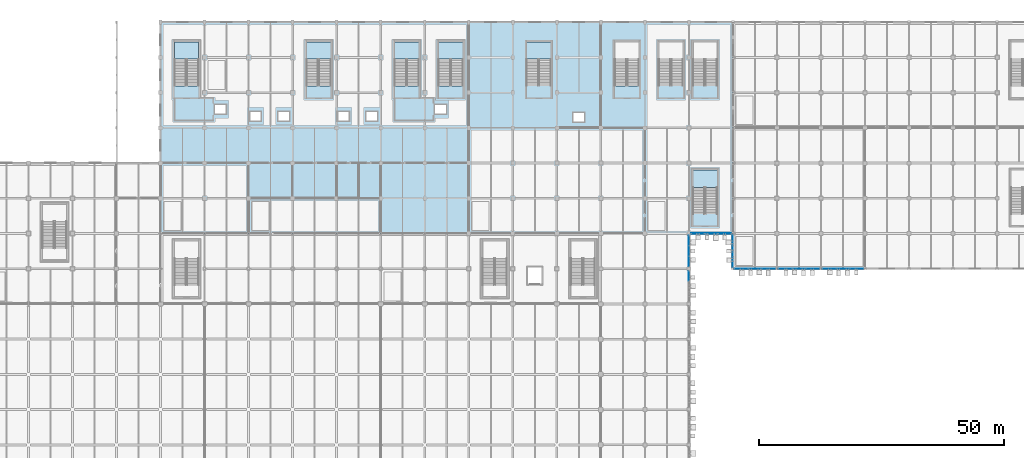
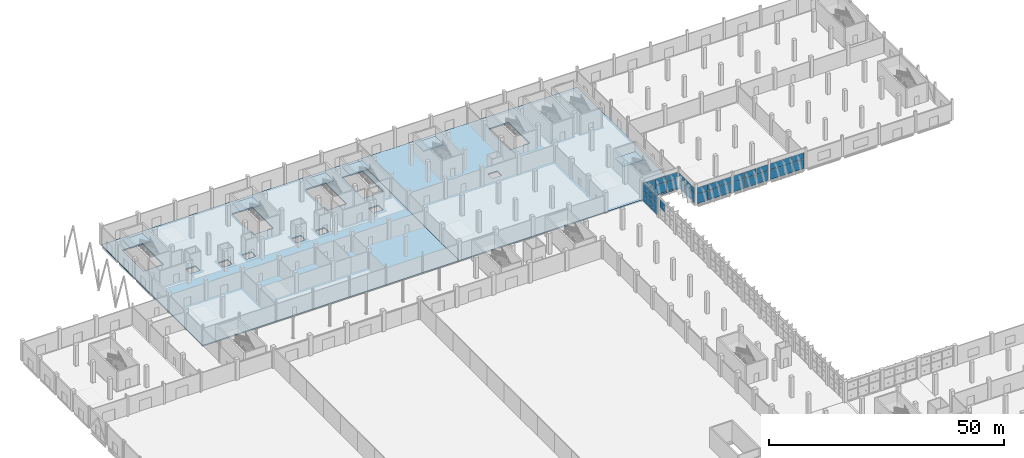
# One storey, part 76 of 137: 37 plates, 8 slabs, 13 elements without a shape of their own.
"""IFC4 building model written with IfcOpenShell, lengths in metres."""

import ifcopenshell
import ifcopenshell.guid

model = None  # the IFC model being written
_history = None  # IfcOwnerHistory: only IFC2X3 demands one
_inside = {}  # id of a spatial element -> (the spatial element, [elements in it])
_under = {}  # id of a project, library or spatial element -> (it, [spatial elements below it])
_declared = {}  # id of a project -> (the project, [libraries it declares])
_typed = {}  # id of a type object -> (the type object, [elements of that type])
_made_of = {}  # id of a material, layer set ... -> (it, [elements and type objects made of it])


def new_model(schema):
    """Start an empty IFC model of exactly this schema.

    Asked for "IFC4X3", IfcOpenShell would pick the latest addendum, in which some entities
    have other attributes; the version numbers below select the first issue.
    IFC2X3 requires an IfcOwnerHistory on every rooted entity: one is made here for all.
    """
    global model, _history
    if schema == "IFC4X3":
        model = ifcopenshell.file(schema_version=(4, 3, 0, 0))
    else:
        model = ifcopenshell.file(schema=schema)
    _inside.clear()
    _under.clear()
    _declared.clear()
    _typed.clear()
    _made_of.clear()
    _history = None
    if model.schema == "IFC2X3":
        org = make("IfcOrganization", Name="unknown")
        user = make(
            "IfcPersonAndOrganization",
            ThePerson=make("IfcPerson", FamilyName="unknown"),
            TheOrganization=org,
        )
        app = make(
            "IfcApplication",
            ApplicationDeveloper=org,
            Version="unknown",
            ApplicationFullName="unknown",
            ApplicationIdentifier="unknown",
        )
        _history = make(
            "IfcOwnerHistory",
            OwningUser=user,
            OwningApplication=app,
            ChangeAction="ADDED",
            CreationDate=0,
        )
    return model


def make(cls, **values):
    """One entity of the class cls with the attributes given. An attribute that is None is left unset."""
    return model.create_entity(
        cls, **{name: value for name, value in values.items() if value is not None}
    )


def rooted(cls, **values):
    """An entity with a GlobalId (a new one), such as an element, a storey or a relation."""
    return make(cls, GlobalId=ifcopenshell.guid.new(), OwnerHistory=_history, **values)


def si_unit(unit_type, name, prefix=None):
    """IfcSIUnit, for example si_unit("LENGTHUNIT", "METRE", prefix="MILLI")."""
    return make("IfcSIUnit", UnitType=unit_type, Prefix=prefix, Name=name)


def assignment(units):
    """IfcUnitAssignment: the units of a project."""
    return None if units is None else make("IfcUnitAssignment", Units=units)


def point(xyz):
    """IfcCartesianPoint."""
    return None if xyz is None else make("IfcCartesianPoint", Coordinates=xyz)


def direction(xyz):
    """IfcDirection."""
    return None if xyz is None else make("IfcDirection", DirectionRatios=xyz)


def frame(location, z_axis=None, x_axis=None):
    """IfcAxis2Placement3D, a coordinate frame: its origin and axes. An axis left out is left unset."""
    return make(
        "IfcAxis2Placement3D",
        Location=point(location),
        Axis=direction(z_axis),
        RefDirection=direction(x_axis),
    )


def frame_2d(location, x_axis=None):
    """IfcAxis2Placement2D, a coordinate frame in the plane: its origin and x axis."""
    return make(
        "IfcAxis2Placement2D", Location=point(location), RefDirection=direction(x_axis)
    )


def origin():
    """The frame at (0, 0, 0) with its axes left unset."""
    return frame((0.0, 0.0, 0.0))


def origin_2d():
    """The frame at (0, 0) in the plane with its x axis left unset."""
    return frame_2d((0.0, 0.0))


def place(relative_to, where):
    """IfcLocalPlacement: puts the frame where relative to a parent placement (None: the world)."""
    return make(
        "IfcLocalPlacement", PlacementRelTo=relative_to, RelativePlacement=where
    )


def context(
    kind, dimensions, precision=None, world=None, true_north=None, identifier=None
):
    """IfcGeometricRepresentationContext, for example the 3D "Model" context."""
    return make(
        "IfcGeometricRepresentationContext",
        ContextIdentifier=identifier,
        ContextType=kind,
        CoordinateSpaceDimension=dimensions,
        Precision=precision,
        WorldCoordinateSystem=world,
        TrueNorth=true_north,
    )


def subcontext(parent, identifier, kind, view, scale=None):
    """IfcGeometricRepresentationSubContext, for example "Body" below "Model"."""
    return make(
        "IfcGeometricRepresentationSubContext",
        ContextIdentifier=identifier,
        ContextType=kind,
        ParentContext=parent,
        TargetScale=scale,
        TargetView=view,
    )


def project(units=None, contexts=None):
    """IfcProject with its units and contexts."""
    return rooted(
        "IfcProject",
        Name="project",
        RepresentationContexts=contexts,
        UnitsInContext=assignment(units),
    )


def spatial(cls, under=None, at=None, **own):
    """A site, building, storey or space (cls), placed at a placement, below another one or the project."""
    s = rooted(cls, ObjectPlacement=at, **own)
    if under is not None:
        _under.setdefault(under.id(), (under, []))[1].append(s)
    return s


def polyline(points):
    """IfcPolyline through the points."""
    return make("IfcPolyline", Points=[point(p) for p in points])


def profile(cls, at=None, kind="AREA", **sizes):
    """A parametric profile (cls). Its sizes go by their IFC names, for example OverallWidth=200.0."""
    return make(cls, ProfileType=kind, Position=at, **sizes)


def rectangle(**sizes):
    """IfcRectangleProfileDef."""
    return profile("IfcRectangleProfileDef", **sizes)


def outline(outer, holes=None, kind="AREA"):
    """IfcArbitraryClosedProfileDef: a profile drawn as a closed curve; with holes, ...WithVoids."""
    if holes is None:
        return make("IfcArbitraryClosedProfileDef", ProfileType=kind, OuterCurve=outer)
    return make(
        "IfcArbitraryProfileDefWithVoids",
        ProfileType=kind,
        OuterCurve=outer,
        InnerCurves=holes,
    )


def extrude(swept, where, along, depth):
    """IfcExtrudedAreaSolid: the profile swept, set in the frame where, extruded along a direction by depth."""
    return make(
        "IfcExtrudedAreaSolid",
        SweptArea=swept,
        Position=where,
        ExtrudedDirection=direction(along),
        Depth=depth,
    )


def shape(context_of_items, identifier, shape_type, items):
    """IfcShapeRepresentation: the items that make up one representation, for example the "Body"."""
    return make(
        "IfcShapeRepresentation",
        ContextOfItems=context_of_items,
        RepresentationIdentifier=identifier,
        RepresentationType=shape_type,
        Items=items,
    )


def material(Name=None, Category=None):
    """IfcMaterial."""
    return make("IfcMaterial", Name=Name, Category=Category)


def layer(
    of_material, thickness, ventilated=None, Name=None, Category=None, Priority=None
):
    """IfcMaterialLayer: one layer of a wall or slab, of a material (None: an air gap)."""
    return make(
        "IfcMaterialLayer",
        Material=of_material,
        LayerThickness=thickness,
        IsVentilated=ventilated,
        Name=Name,
        Category=Category,
        Priority=Priority,
    )


def layer_set(layers, Name=None):
    """IfcMaterialLayerSet."""
    return make("IfcMaterialLayerSet", MaterialLayers=layers, LayerSetName=Name)


def made_of(thing, what):
    """Note that an element or type object is made of a material, layer set ...; save() writes the relation."""
    if what is not None:
        _made_of.setdefault(what.id(), (what, []))[1].append(thing)
    return thing


def type_object(cls, material=None, **own):
    """A type object (cls), such as IfcWallType, which elements share."""
    return made_of(rooted(cls, **own), material)


def element(
    cls,
    number,
    at=None,
    inside=None,
    cuts=None,
    type_object=None,
    material=None,
    context=None,
    identifier="Body",
    shape_type=None,
    held_by="IfcProductDefinitionShape",
    body=None,
    shapes=None,
    **own,
):
    """One element of the class cls, such as IfcWall. Its Tag is "e" and its number.

    at: its placement. inside: the storey or other place that contains it. cuts: it is an
    opening in that element (IfcRelVoidsElement). A single representation is given by context,
    identifier, shape_type and body (its items); several are given by shapes. held_by: the class
    of the entity that holds the representations. save() writes the other relations.
    """
    e = rooted(cls, Tag="e%d" % number, ObjectPlacement=at, **own)
    if body is not None:
        shapes = [shape(context, identifier, shape_type, body)]
    if shapes is not None:
        e.Representation = make(held_by, Representations=shapes)
    if inside is not None:
        _inside.setdefault(inside.id(), (inside, []))[1].append(e)
    if cuts is not None:
        rooted(
            "IfcRelVoidsElement", RelatingBuildingElement=cuts, RelatedOpeningElement=e
        )
    if type_object is not None:
        _typed.setdefault(type_object.id(), (type_object, []))[1].append(e)
    return made_of(e, material)


def aggregate(whole, parts):
    """IfcRelAggregates: a whole, such as a stair, and the parts it consists of."""
    return rooted("IfcRelAggregates", RelatingObject=whole, RelatedObjects=parts)


def save(model, path):
    """Write the relations noted so far, then the file.

    IfcRelAggregates (storeys below a building ...), IfcRelContainedInSpatialStructure (elements
    in a storey), IfcRelDefinesByType, IfcRelAssociatesMaterial and IfcRelDeclares: one each for
    every whole, place, type object, material and project.
    """
    for whole, parts in _under.values():
        aggregate(whole, parts)
    for where, things in _inside.values():
        rooted(
            "IfcRelContainedInSpatialStructure",
            RelatedElements=things,
            RelatingStructure=where,
        )
    for kind, things in _typed.values():
        rooted("IfcRelDefinesByType", RelatedObjects=things, RelatingType=kind)
    for what, things in _made_of.values():
        rooted("IfcRelAssociatesMaterial", RelatedObjects=things, RelatingMaterial=what)
    for by, libraries in _declared.values():
        rooted("IfcRelDeclares", RelatingContext=by, RelatedDefinitions=libraries)
    model.write(path)


model = new_model("IFC4")

# Units and contexts
model_context = context("Model", 3, precision=1e-05, world=origin(), true_north=direction((0.0, 1.0)))
body_context = subcontext(model_context, "Body", "Model", "MODEL_VIEW")
ifc_project = project(units=[si_unit("LENGTHUNIT", "METRE"), si_unit("AREAUNIT", "SQUARE_METRE"), si_unit("VOLUMEUNIT", "CUBIC_METRE"), si_unit("PLANEANGLEUNIT", "RADIAN"), si_unit("MASSUNIT", "GRAM", prefix="KILO")], contexts=[model_context])

# Site, building, storey
site_placement = place(None, origin())
site = spatial("IfcSite", under=ifc_project, at=site_placement, CompositionType="ELEMENT")
building_placement = place(site_placement, origin())
building = spatial("IfcBuilding", under=site, at=building_placement, Name="Celestram Park Convention Centre", CompositionType="ELEMENT")
storey_placement = place(building_placement, origin())
storey = spatial("IfcBuildingStorey", under=building, at=storey_placement, Name="L00", CompositionType="ELEMENT", Elevation=0.0)

# Curtain wall, plates
ifc_material_1 = material(Name="Anodised Aluminium Alloy 6063-T6", Category="aluminium")
ifc_layer_1 = layer(ifc_material_1, 0.179931640625)
ifc_layer_set_1 = layer_set([ifc_layer_1], Name="Anodised Aluminium Alloy 6063-T6")
curtain_wall_type_1 = type_object("IfcCurtainWallType", Name="ARC-CW-670X412", PredefinedType="NOTDEFINED", material=ifc_layer_set_1)
curtain_wall_1_placement = place(storey_placement, origin())
curtain_wall_1 = element("IfcCurtainWall", 1, at=curtain_wall_1_placement, inside=storey, type_object=curtain_wall_type_1, Name="Unitised curtain wall CU-L00-004", PredefinedType="NOTDEFINED")
ifc_material_2 = material(Name="Insulated Glazing Unit 28 mm", Category="glass")
ifc_layer_2 = layer(ifc_material_2, 0.028076171875)
ifc_layer_set_2 = layer_set([ifc_layer_2], Name="Insulated Glazing Unit 28 mm")
plate_type_1 = type_object("IfcPlateType", Name="ARC-CWP-IGU28", PredefinedType="CURTAIN_PANEL", material=ifc_layer_set_2)
plate_1_placement = place(storey_placement, frame((153.0, 116.58154296875, 0.06005859375), z_axis=(0.0, 0.0, 1.0), x_axis=(0.0, 1.0, 0.0)))
plate_1 = element("IfcPlate", 2, at=plate_1_placement, type_object=plate_type_1, Name="CW-67X41 panel 1.1", PredefinedType="CURTAIN_PANEL", context=body_context, shape_type="SweptSolid", body=[
    extrude(rectangle(XDim=2.13720703125, YDim=0.028076171875, at=origin_2d()), origin(), (0.0, 0.0, 1.0), 2.384033203125),
])
plate_2_placement = place(storey_placement, frame((153.0, 116.58154296875, 2.50390625), z_axis=(0.0, 0.0, 1.0), x_axis=(0.0, 1.0, 0.0)))
plate_2 = element("IfcPlate", 3, at=plate_2_placement, type_object=plate_type_1, Name="CW-67X41 panel 1.2", PredefinedType="CURTAIN_PANEL", context=body_context, shape_type="SweptSolid", body=[
    extrude(rectangle(XDim=2.13720703125, YDim=0.028076171875, at=origin_2d()), origin(), (0.0, 0.0, 1.0), 1.56005859375),
])
plate_3_placement = place(storey_placement, frame((153.0, 118.800048828125, 0.06005859375), z_axis=(0.0, 0.0, 1.0), x_axis=(0.0, 1.0, 0.0)))
plate_3 = element("IfcPlate", 4, at=plate_3_placement, type_object=plate_type_1, Name="CW-67X41 panel 2.1", PredefinedType="CURTAIN_PANEL", context=body_context, shape_type="SweptSolid", body=[
    extrude(rectangle(XDim=2.169677734375, YDim=0.028076171875, at=origin_2d()), origin(), (0.0, 0.0, 1.0), 2.384033203125),
])
plate_4_placement = place(storey_placement, frame((153.0, 118.800048828125, 2.50390625), z_axis=(0.0, 0.0, 1.0), x_axis=(0.0, 1.0, 0.0)))
plate_4 = element("IfcPlate", 5, at=plate_4_placement, type_object=plate_type_1, Name="CW-67X41 panel 2.2", PredefinedType="CURTAIN_PANEL", context=body_context, shape_type="SweptSolid", body=[
    extrude(rectangle(XDim=2.169677734375, YDim=0.028076171875, at=origin_2d()), origin(), (0.0, 0.0, 1.0), 1.56005859375),
])
plate_5_placement = place(storey_placement, frame((153.0, 121.018310546875, 0.06005859375), z_axis=(0.0, 0.0, 1.0), x_axis=(0.0, 1.0, 0.0)))
plate_5 = element("IfcPlate", 6, at=plate_5_placement, type_object=plate_type_1, Name="CW-67X41 panel 3.1", PredefinedType="CURTAIN_PANEL", context=body_context, shape_type="SweptSolid", body=[
    extrude(rectangle(XDim=2.13720703125, YDim=0.028076171875, at=origin_2d()), origin(), (0.0, 0.0, 1.0), 2.384033203125),
])
plate_6_placement = place(storey_placement, frame((153.0, 121.018310546875, 2.50390625), z_axis=(0.0, 0.0, 1.0), x_axis=(0.0, 1.0, 0.0)))
plate_6 = element("IfcPlate", 7, at=plate_6_placement, type_object=plate_type_1, Name="CW-67X41 panel 3.2", PredefinedType="CURTAIN_PANEL", context=body_context, shape_type="SweptSolid", body=[
    extrude(rectangle(XDim=2.13720703125, YDim=0.028076171875, at=origin_2d()), origin(), (0.0, 0.0, 1.0), 1.56005859375),
])
aggregate(curtain_wall_1, [plate_1, plate_2, plate_3, plate_4, plate_5, plate_6])

ifc_layer_3 = layer(ifc_material_1, 0.179931640625)
ifc_layer_set_3 = layer_set([ifc_layer_3], Name="Anodised Aluminium Alloy 6063-T6")
curtain_wall_type_2 = type_object("IfcCurtainWallType", Name="ARC-CW-640X482", PredefinedType="NOTDEFINED", material=ifc_layer_set_3)
curtain_wall_2_placement = place(storey_placement, origin())
curtain_wall_2 = element("IfcCurtainWall", 8, at=curtain_wall_2_placement, inside=storey, type_object=curtain_wall_type_2, Name="Unitised curtain wall CU-L00-006", PredefinedType="NOTDEFINED")
plate_7_placement = place(storey_placement, frame((144.0, 120.91845703125, 0.06005859375), z_axis=(0.0, 0.0, 1.0), x_axis=(0.0, -1.0, 0.0)))
plate_7 = element("IfcPlate", 9, at=plate_7_placement, type_object=plate_type_1, Name="CW-64X48 panel 1.1", PredefinedType="CURTAIN_PANEL", context=body_context, shape_type="SweptSolid", body=[
    extrude(rectangle(XDim=2.037109375, YDim=0.028076171875, at=origin_2d()), origin(), (0.0, 0.0, 1.0), 2.56005859375),
])
plate_8_placement = place(storey_placement, frame((144.0, 120.91845703125, 2.679931640625), z_axis=(0.0, 0.0, 1.0), x_axis=(0.0, -1.0, 0.0)))
plate_8 = element("IfcPlate", 10, at=plate_8_placement, type_object=plate_type_1, Name="CW-64X48 panel 1.2", PredefinedType="CURTAIN_PANEL", context=body_context, shape_type="SweptSolid", body=[
    extrude(rectangle(XDim=2.037109375, YDim=0.028076171875, at=origin_2d()), origin(), (0.0, 0.0, 1.0), 2.080078125),
])
plate_9_placement = place(storey_placement, frame((144.0, 118.800048828125, 0.06005859375), z_axis=(0.0, 0.0, 1.0), x_axis=(0.0, -1.0, 0.0)))
plate_9 = element("IfcPlate", 11, at=plate_9_placement, type_object=plate_type_1, Name="CW-64X48 panel 2.1", PredefinedType="CURTAIN_PANEL", context=body_context, shape_type="SweptSolid", body=[
    extrude(rectangle(XDim=2.069580078125, YDim=0.028076171875, at=origin_2d()), origin(), (0.0, 0.0, 1.0), 2.56005859375),
])
plate_10_placement = place(storey_placement, frame((144.0, 118.800048828125, 2.679931640625), z_axis=(0.0, 0.0, 1.0), x_axis=(0.0, -1.0, 0.0)))
plate_10 = element("IfcPlate", 12, at=plate_10_placement, type_object=plate_type_1, Name="CW-64X48 panel 2.2", PredefinedType="CURTAIN_PANEL", context=body_context, shape_type="SweptSolid", body=[
    extrude(rectangle(XDim=2.069580078125, YDim=0.028076171875, at=origin_2d()), origin(), (0.0, 0.0, 1.0), 2.080078125),
])
plate_11_placement = place(storey_placement, frame((144.0, 116.681640625, 0.06005859375), z_axis=(0.0, 0.0, 1.0), x_axis=(0.0, -1.0, 0.0)))
plate_11 = element("IfcPlate", 13, at=plate_11_placement, type_object=plate_type_1, Name="CW-64X48 panel 3.1", PredefinedType="CURTAIN_PANEL", context=body_context, shape_type="SweptSolid", body=[
    extrude(rectangle(XDim=2.037109375, YDim=0.028076171875, at=origin_2d()), origin(), (0.0, 0.0, 1.0), 2.56005859375),
])
plate_12_placement = place(storey_placement, frame((144.0, 116.681640625, 2.679931640625), z_axis=(0.0, 0.0, 1.0), x_axis=(0.0, -1.0, 0.0)))
plate_12 = element("IfcPlate", 14, at=plate_12_placement, type_object=plate_type_1, Name="CW-64X48 panel 3.2", PredefinedType="CURTAIN_PANEL", context=body_context, shape_type="SweptSolid", body=[
    extrude(rectangle(XDim=2.037109375, YDim=0.028076171875, at=origin_2d()), origin(), (0.0, 0.0, 1.0), 2.080078125),
])
aggregate(curtain_wall_2, [plate_7, plate_8, plate_9, plate_10, plate_11, plate_12])

# Curtain wall, plate
curtain_wall_3_placement = place(storey_placement, origin())
curtain_wall_3 = element("IfcCurtainWall", 15, at=curtain_wall_3_placement, inside=storey, type_object=curtain_wall_type_2, Name="Unitised curtain wall CU-L00-007", PredefinedType="NOTDEFINED")
plate_13_placement = place(storey_placement, frame((144.0, 113.718505859375, 2.679931640625), z_axis=(0.0, 0.0, 1.0), x_axis=(0.0, -1.0, 0.0)))
plate_13 = element("IfcPlate", 16, at=plate_13_placement, type_object=plate_type_1, Name="CW-64X48 panel 1.2", PredefinedType="CURTAIN_PANEL", context=body_context, shape_type="SweptSolid", body=[
    extrude(rectangle(XDim=2.037109375, YDim=0.028076171875, at=origin_2d()), origin(), (0.0, 0.0, 1.0), 2.080078125),
])
aggregate(curtain_wall_3, [plate_13])

# Curtain wall, plates
ifc_layer_4 = layer(ifc_material_1, 0.179931640625)
ifc_layer_set_4 = layer_set([ifc_layer_4], Name="Anodised Aluminium Alloy 6063-T6")
curtain_wall_type_3 = type_object("IfcCurtainWallType", Name="ARC-CW-850X430", PredefinedType="NOTDEFINED", material=ifc_layer_set_4)
curtain_wall_4_placement = place(storey_placement, origin())
curtain_wall_4 = element("IfcCurtainWall", 17, at=curtain_wall_4_placement, inside=storey, type_object=curtain_wall_type_3, Name="Unitised curtain wall CU-L00-001", PredefinedType="NOTDEFINED")
ifc_material_3 = material(Name="Insulated Glazing Unit 38 mm", Category="glass")
ifc_layer_5 = layer(ifc_material_3, 0.0380859375)
ifc_layer_set_5 = layer_set([ifc_layer_5], Name="Insulated Glazing Unit 38 mm")
plate_type_2 = type_object("IfcPlateType", Name="ARC-CWP-IGU38", PredefinedType="CURTAIN_PANEL", material=ifc_layer_set_5)
plate_14_placement = place(storey_placement, frame((178.31591796875, 115.199951171875, 0.06494140625), z_axis=(0.0, 0.0, 1.0), x_axis=(-1.0, 0.0, 0.0)))
plate_14 = element("IfcPlate", 18, at=plate_14_placement, type_object=plate_type_2, Name="CW-85X43 panel 1.1", PredefinedType="CURTAIN_PANEL", context=body_context, shape_type="SweptSolid", body=[
    extrude(rectangle(XDim=2.72216796875, YDim=0.0380859375, at=origin_2d()), origin(), (0.0, 0.0, 1.0), 2.48046875),
])
plate_15_placement = place(storey_placement, frame((178.31591796875, 115.199951171875, 2.6103515625), z_axis=(0.0, 0.0, 1.0), x_axis=(-1.0, 0.0, 0.0)))
plate_15 = element("IfcPlate", 19, at=plate_15_placement, type_object=plate_type_2, Name="CW-85X43 panel 1.2", PredefinedType="CURTAIN_PANEL", context=body_context, shape_type="SweptSolid", body=[
    extrude(rectangle(XDim=2.72216796875, YDim=0.0380859375, at=origin_2d()), origin(), (0.0, 0.0, 1.0), 1.62158203125),
])
plate_16_placement = place(storey_placement, frame((175.5, 115.199951171875, 0.06494140625), z_axis=(0.0, 0.0, 1.0), x_axis=(-1.0, 0.0, 0.0)))
plate_16 = element("IfcPlate", 20, at=plate_16_placement, type_object=plate_type_2, Name="CW-85X43 panel 2.1", PredefinedType="CURTAIN_PANEL", context=body_context, shape_type="SweptSolid", body=[
    extrude(rectangle(XDim=2.759765625, YDim=0.0380859375, at=origin_2d()), origin(), (0.0, 0.0, 1.0), 2.48046875),
])
plate_17_placement = place(storey_placement, frame((175.5, 115.199951171875, 2.6103515625), z_axis=(0.0, 0.0, 1.0), x_axis=(-1.0, 0.0, 0.0)))
plate_17 = element("IfcPlate", 21, at=plate_17_placement, type_object=plate_type_2, Name="CW-85X43 panel 2.2", PredefinedType="CURTAIN_PANEL", context=body_context, shape_type="SweptSolid", body=[
    extrude(rectangle(XDim=2.759765625, YDim=0.0380859375, at=origin_2d()), origin(), (0.0, 0.0, 1.0), 1.62158203125),
])
plate_18_placement = place(storey_placement, frame((172.68408203125, 115.199951171875, 0.06494140625), z_axis=(0.0, 0.0, 1.0), x_axis=(-1.0, 0.0, 0.0)))
plate_18 = element("IfcPlate", 22, at=plate_18_placement, type_object=plate_type_2, Name="CW-85X43 panel 3.1", PredefinedType="CURTAIN_PANEL", context=body_context, shape_type="SweptSolid", body=[
    extrude(rectangle(XDim=2.72216796875, YDim=0.0380859375, at=origin_2d()), origin(), (0.0, 0.0, 1.0), 2.48046875),
])
plate_19_placement = place(storey_placement, frame((172.68408203125, 115.199951171875, 2.6103515625), z_axis=(0.0, 0.0, 1.0), x_axis=(-1.0, 0.0, 0.0)))
plate_19 = element("IfcPlate", 23, at=plate_19_placement, type_object=plate_type_2, Name="CW-85X43 panel 3.2", PredefinedType="CURTAIN_PANEL", context=body_context, shape_type="SweptSolid", body=[
    extrude(rectangle(XDim=2.72216796875, YDim=0.0380859375, at=origin_2d()), origin(), (0.0, 0.0, 1.0), 1.62158203125),
])
aggregate(curtain_wall_4, [plate_14, plate_15, plate_16, plate_17, plate_18, plate_19])

curtain_wall_5_placement = place(storey_placement, origin())
curtain_wall_5 = element("IfcCurtainWall", 24, at=curtain_wall_5_placement, inside=storey, type_object=curtain_wall_type_3, Name="Unitised curtain wall CU-L00-002", PredefinedType="NOTDEFINED")
plate_20_placement = place(storey_placement, frame((169.31591796875, 115.199951171875, 0.06494140625), z_axis=(0.0, 0.0, 1.0), x_axis=(-1.0, 0.0, 0.0)))
plate_20 = element("IfcPlate", 25, at=plate_20_placement, type_object=plate_type_2, Name="CW-85X43 panel 1.1", PredefinedType="CURTAIN_PANEL", context=body_context, shape_type="SweptSolid", body=[
    extrude(rectangle(XDim=2.72216796875, YDim=0.0380859375, at=origin_2d()), origin(), (0.0, 0.0, 1.0), 2.48046875),
])
plate_21_placement = place(storey_placement, frame((169.31591796875, 115.199951171875, 2.6103515625), z_axis=(0.0, 0.0, 1.0), x_axis=(-1.0, 0.0, 0.0)))
plate_21 = element("IfcPlate", 26, at=plate_21_placement, type_object=plate_type_2, Name="CW-85X43 panel 1.2", PredefinedType="CURTAIN_PANEL", context=body_context, shape_type="SweptSolid", body=[
    extrude(rectangle(XDim=2.72216796875, YDim=0.0380859375, at=origin_2d()), origin(), (0.0, 0.0, 1.0), 1.62158203125),
])
plate_22_placement = place(storey_placement, frame((166.5, 115.199951171875, 0.06494140625), z_axis=(0.0, 0.0, 1.0), x_axis=(-1.0, 0.0, 0.0)))
plate_22 = element("IfcPlate", 27, at=plate_22_placement, type_object=plate_type_2, Name="CW-85X43 panel 2.1", PredefinedType="CURTAIN_PANEL", context=body_context, shape_type="SweptSolid", body=[
    extrude(rectangle(XDim=2.759765625, YDim=0.0380859375, at=origin_2d()), origin(), (0.0, 0.0, 1.0), 2.48046875),
])
plate_23_placement = place(storey_placement, frame((166.5, 115.199951171875, 2.6103515625), z_axis=(0.0, 0.0, 1.0), x_axis=(-1.0, 0.0, 0.0)))
plate_23 = element("IfcPlate", 28, at=plate_23_placement, type_object=plate_type_2, Name="CW-85X43 panel 2.2", PredefinedType="CURTAIN_PANEL", context=body_context, shape_type="SweptSolid", body=[
    extrude(rectangle(XDim=2.759765625, YDim=0.0380859375, at=origin_2d()), origin(), (0.0, 0.0, 1.0), 1.62158203125),
])
plate_24_placement = place(storey_placement, frame((163.68408203125, 115.199951171875, 0.06494140625), z_axis=(0.0, 0.0, 1.0), x_axis=(-1.0, 0.0, 0.0)))
plate_24 = element("IfcPlate", 29, at=plate_24_placement, type_object=plate_type_2, Name="CW-85X43 panel 3.1", PredefinedType="CURTAIN_PANEL", context=body_context, shape_type="SweptSolid", body=[
    extrude(rectangle(XDim=2.72216796875, YDim=0.0380859375, at=origin_2d()), origin(), (0.0, 0.0, 1.0), 2.48046875),
])
plate_25_placement = place(storey_placement, frame((163.68408203125, 115.199951171875, 2.6103515625), z_axis=(0.0, 0.0, 1.0), x_axis=(-1.0, 0.0, 0.0)))
plate_25 = element("IfcPlate", 30, at=plate_25_placement, type_object=plate_type_2, Name="CW-85X43 panel 3.2", PredefinedType="CURTAIN_PANEL", context=body_context, shape_type="SweptSolid", body=[
    extrude(rectangle(XDim=2.72216796875, YDim=0.0380859375, at=origin_2d()), origin(), (0.0, 0.0, 1.0), 1.62158203125),
])
aggregate(curtain_wall_5, [plate_20, plate_21, plate_22, plate_23, plate_24, plate_25])

curtain_wall_6_placement = place(storey_placement, origin())
curtain_wall_6 = element("IfcCurtainWall", 31, at=curtain_wall_6_placement, inside=storey, type_object=curtain_wall_type_3, Name="Unitised curtain wall CU-L00-003", PredefinedType="NOTDEFINED")
plate_26_placement = place(storey_placement, frame((160.31591796875, 115.199951171875, 0.06494140625), z_axis=(0.0, 0.0, 1.0), x_axis=(-1.0, 0.0, 0.0)))
plate_26 = element("IfcPlate", 32, at=plate_26_placement, type_object=plate_type_2, Name="CW-85X43 panel 1.1", PredefinedType="CURTAIN_PANEL", context=body_context, shape_type="SweptSolid", body=[
    extrude(rectangle(XDim=2.72216796875, YDim=0.0380859375, at=origin_2d()), origin(), (0.0, 0.0, 1.0), 2.48046875),
])
plate_27_placement = place(storey_placement, frame((160.31591796875, 115.199951171875, 2.6103515625), z_axis=(0.0, 0.0, 1.0), x_axis=(-1.0, 0.0, 0.0)))
plate_27 = element("IfcPlate", 33, at=plate_27_placement, type_object=plate_type_2, Name="CW-85X43 panel 1.2", PredefinedType="CURTAIN_PANEL", context=body_context, shape_type="SweptSolid", body=[
    extrude(rectangle(XDim=2.72216796875, YDim=0.0380859375, at=origin_2d()), origin(), (0.0, 0.0, 1.0), 1.62158203125),
])
plate_28_placement = place(storey_placement, frame((157.5, 115.199951171875, 0.06494140625), z_axis=(0.0, 0.0, 1.0), x_axis=(-1.0, 0.0, 0.0)))
plate_28 = element("IfcPlate", 34, at=plate_28_placement, type_object=plate_type_2, Name="CW-85X43 panel 2.1", PredefinedType="CURTAIN_PANEL", context=body_context, shape_type="SweptSolid", body=[
    extrude(rectangle(XDim=2.759765625, YDim=0.0380859375, at=origin_2d()), origin(), (0.0, 0.0, 1.0), 2.48046875),
])
plate_29_placement = place(storey_placement, frame((157.5, 115.199951171875, 2.6103515625), z_axis=(0.0, 0.0, 1.0), x_axis=(-1.0, 0.0, 0.0)))
plate_29 = element("IfcPlate", 35, at=plate_29_placement, type_object=plate_type_2, Name="CW-85X43 panel 2.2", PredefinedType="CURTAIN_PANEL", context=body_context, shape_type="SweptSolid", body=[
    extrude(rectangle(XDim=2.759765625, YDim=0.0380859375, at=origin_2d()), origin(), (0.0, 0.0, 1.0), 1.62158203125),
])
plate_30_placement = place(storey_placement, frame((154.68408203125, 115.199951171875, 0.06494140625), z_axis=(0.0, 0.0, 1.0), x_axis=(-1.0, 0.0, 0.0)))
plate_30 = element("IfcPlate", 36, at=plate_30_placement, type_object=plate_type_2, Name="CW-85X43 panel 3.1", PredefinedType="CURTAIN_PANEL", context=body_context, shape_type="SweptSolid", body=[
    extrude(rectangle(XDim=2.72216796875, YDim=0.0380859375, at=origin_2d()), origin(), (0.0, 0.0, 1.0), 2.48046875),
])
plate_31_placement = place(storey_placement, frame((154.68408203125, 115.199951171875, 2.6103515625), z_axis=(0.0, 0.0, 1.0), x_axis=(-1.0, 0.0, 0.0)))
plate_31 = element("IfcPlate", 37, at=plate_31_placement, type_object=plate_type_2, Name="CW-85X43 panel 3.2", PredefinedType="CURTAIN_PANEL", context=body_context, shape_type="SweptSolid", body=[
    extrude(rectangle(XDim=2.72216796875, YDim=0.0380859375, at=origin_2d()), origin(), (0.0, 0.0, 1.0), 1.62158203125),
])
aggregate(curtain_wall_6, [plate_26, plate_27, plate_28, plate_29, plate_30, plate_31])

ifc_layer_6 = layer(ifc_material_1, 0.179931640625)
ifc_layer_set_6 = layer_set([ifc_layer_6], Name="Anodised Aluminium Alloy 6063-T6")
curtain_wall_type_4 = type_object("IfcCurtainWallType", Name="ARC-CW-835X430", PredefinedType="NOTDEFINED", material=ifc_layer_set_6)
curtain_wall_7_placement = place(storey_placement, origin())
curtain_wall_7 = element("IfcCurtainWall", 38, at=curtain_wall_7_placement, inside=storey, type_object=curtain_wall_type_4, Name="Unitised curtain wall CU-L00-005", PredefinedType="NOTDEFINED")
plate_32_placement = place(storey_placement, frame((151.3408203125, 122.39990234375, 0.06494140625), z_axis=(0.0, 0.0, 1.0), x_axis=(-1.0, 0.0, 0.0)))
plate_32 = element("IfcPlate", 39, at=plate_32_placement, type_object=plate_type_2, Name="CW-83X43 panel 1.1", PredefinedType="CURTAIN_PANEL", context=body_context, shape_type="SweptSolid", body=[
    extrude(rectangle(XDim=2.672119140625, YDim=0.0380859375, at=origin_2d()), origin(), (0.0, 0.0, 1.0), 2.48046875),
])
plate_33_placement = place(storey_placement, frame((151.3408203125, 122.39990234375, 2.6103515625), z_axis=(0.0, 0.0, 1.0), x_axis=(-1.0, 0.0, 0.0)))
plate_33 = element("IfcPlate", 40, at=plate_33_placement, type_object=plate_type_2, Name="CW-83X43 panel 1.2", PredefinedType="CURTAIN_PANEL", context=body_context, shape_type="SweptSolid", body=[
    extrude(rectangle(XDim=2.672119140625, YDim=0.0380859375, at=origin_2d()), origin(), (0.0, 0.0, 1.0), 1.62158203125),
])
plate_34_placement = place(storey_placement, frame((148.574951171875, 122.39990234375, 0.06494140625), z_axis=(0.0, 0.0, 1.0), x_axis=(-1.0, 0.0, 0.0)))
plate_34 = element("IfcPlate", 41, at=plate_34_placement, type_object=plate_type_2, Name="CW-83X43 panel 2.1", PredefinedType="CURTAIN_PANEL", context=body_context, shape_type="SweptSolid", body=[
    extrude(rectangle(XDim=2.709716796875, YDim=0.0380859375, at=origin_2d()), origin(), (0.0, 0.0, 1.0), 2.48046875),
])
plate_35_placement = place(storey_placement, frame((148.574951171875, 122.39990234375, 2.6103515625), z_axis=(0.0, 0.0, 1.0), x_axis=(-1.0, 0.0, 0.0)))
plate_35 = element("IfcPlate", 42, at=plate_35_placement, type_object=plate_type_2, Name="CW-83X43 panel 2.2", PredefinedType="CURTAIN_PANEL", context=body_context, shape_type="SweptSolid", body=[
    extrude(rectangle(XDim=2.709716796875, YDim=0.0380859375, at=origin_2d()), origin(), (0.0, 0.0, 1.0), 1.62158203125),
])
plate_36_placement = place(storey_placement, frame((145.80908203125, 122.39990234375, 0.06494140625), z_axis=(0.0, 0.0, 1.0), x_axis=(-1.0, 0.0, 0.0)))
plate_36 = element("IfcPlate", 43, at=plate_36_placement, type_object=plate_type_2, Name="CW-83X43 panel 3.1", PredefinedType="CURTAIN_PANEL", context=body_context, shape_type="SweptSolid", body=[
    extrude(rectangle(XDim=2.672119140625, YDim=0.0380859375, at=origin_2d()), origin(), (0.0, 0.0, 1.0), 2.48046875),
])
plate_37_placement = place(storey_placement, frame((145.80908203125, 122.39990234375, 2.6103515625), z_axis=(0.0, 0.0, 1.0), x_axis=(-1.0, 0.0, 0.0)))
plate_37 = element("IfcPlate", 44, at=plate_37_placement, type_object=plate_type_2, Name="CW-83X43 panel 3.2", PredefinedType="CURTAIN_PANEL", context=body_context, shape_type="SweptSolid", body=[
    extrude(rectangle(XDim=2.672119140625, YDim=0.0380859375, at=origin_2d()), origin(), (0.0, 0.0, 1.0), 1.62158203125),
])
aggregate(curtain_wall_7, [plate_32, plate_33, plate_34, plate_35, plate_36, plate_37])

# Slabs
ifc_material_4 = material(Name="Concrete C35/45", Category="concrete")
ifc_layer_7 = layer(ifc_material_4, 0.320068359375)
ifc_layer_set_7 = layer_set([ifc_layer_7], Name="Concrete C35/45")
slab_type_1 = type_object("IfcSlabType", Name="STR-SLB-DCK320", PredefinedType="FLOOR", material=ifc_layer_set_7)
slab_1_placement = place(storey_placement, frame((0.0, 0.0, -0.320068359375)))
element("IfcSlab", 45, at=slab_1_placement, inside=storey, type_object=slab_type_1, Name="Floor slab L00-MTG", PredefinedType="FLOOR", context=body_context, shape_type="SweptSolid", body=[
    extrude(outline(polyline([(36.0, 122.39990234375), (36.0, 165.60009765625), (99.0, 165.60009765625), (99.0, 122.39990234375), (36.0, 122.39990234375)]), holes=[polyline([(56.550048828125, 145.449951171875), (56.550048828125, 147.35009765625), (54.25, 147.35009765625), (54.25, 145.449951171875), (56.550048828125, 145.449951171875)]), polyline([(60.050048828125, 145.449951171875), (62.35009765625, 145.449951171875), (62.35009765625, 147.35009765625), (60.050048828125, 147.35009765625), (60.050048828125, 145.449951171875)]), polyline([(72.25, 145.449951171875), (74.550048828125, 145.449951171875), (74.550048828125, 147.35009765625), (72.25, 147.35009765625), (72.25, 145.449951171875)]), polyline([(80.35009765625, 145.449951171875), (80.35009765625, 147.35009765625), (78.050048828125, 147.35009765625), (78.050048828125, 145.449951171875), (80.35009765625, 145.449951171875)]), polyline([(49.39990234375, 146.824951171875), (49.39990234375, 148.77490234375), (47.0, 148.77490234375), (47.0, 146.824951171875), (49.39990234375, 146.824951171875)]), polyline([(94.39990234375, 146.824951171875), (94.39990234375, 148.77490234375), (92.0, 148.77490234375), (92.0, 146.824951171875), (94.39990234375, 146.824951171875)]), polyline([(43.800048828125, 152.60595703125), (43.800048828125, 161.60009765625), (38.840087890625, 161.60009765625), (38.840087890625, 152.60595703125), (43.800048828125, 152.60595703125)]), polyline([(70.800048828125, 152.60595703125), (70.800048828125, 161.60009765625), (65.840087890625, 161.60009765625), (65.840087890625, 152.60595703125), (70.800048828125, 152.60595703125)]), polyline([(88.800048828125, 161.60009765625), (83.840087890625, 161.60009765625), (83.840087890625, 152.60595703125), (88.800048828125, 152.60595703125), (88.800048828125, 161.60009765625)]), polyline([(97.800048828125, 152.60595703125), (97.800048828125, 161.60009765625), (92.840087890625, 161.60009765625), (92.840087890625, 152.60595703125), (97.800048828125, 152.60595703125)])]), origin(), (0.0, 0.0, 1.0), 0.320068359375),
])
slab_2_placement = place(storey_placement, frame((0.0, 0.0, -0.320068359375)))
element("IfcSlab", 46, at=slab_2_placement, inside=storey, type_object=slab_type_1, Name="Floor slab L00-RST", PredefinedType="FLOOR", context=body_context, shape_type="SweptSolid", body=[
    extrude(outline(polyline([(99.0, 122.39990234375), (99.0, 165.60009765625), (153.0, 165.60009765625), (153.0, 122.39990234375), (99.0, 122.39990234375)]), holes=[polyline([(122.64990234375, 145.25), (122.64990234375, 147.14990234375), (120.35009765625, 147.14990234375), (120.35009765625, 145.25), (122.64990234375, 145.25)]), polyline([(133.800048828125, 152.60595703125), (133.800048828125, 161.60009765625), (128.840087890625, 161.60009765625), (128.840087890625, 152.60595703125), (133.800048828125, 152.60595703125)])]), origin(), (0.0, 0.0, 1.0), 0.320068359375),
])

# Stair, slab
ifc_material_5 = material(Name="Precast Concrete C40/50", Category="concrete")
stair_type = type_object("IfcStairType", Name="ARC-STR-DOG54", PredefinedType="HALF_TURN_STAIR", material=ifc_material_5)
stair_1_placement = place(storey_placement, origin())
stair_1 = element("IfcStair", 47, at=stair_1_placement, inside=storey, type_object=stair_type, Name="L00 Core C1 stair ST-01", PredefinedType="HALF_TURN_STAIR")
ifc_layer_8 = layer(ifc_material_4, 0.199951171875)
ifc_layer_set_8 = layer_set([ifc_layer_8], Name="Concrete C35/45")
slab_type_2 = type_object("IfcSlabType", Name="STR-SLB-LND200", PredefinedType="LANDING", material=ifc_layer_set_8)
slab_3_placement = place(storey_placement, frame((0.0, 0.0, 2.5)))
slab_3 = element("IfcSlab", 48, at=slab_3_placement, type_object=slab_type_2, Name="ST-01 landing 1", PredefinedType="LANDING", context=body_context, shape_type="SweptSolid", body=[
    extrude(outline(polyline([(43.800048828125, 158.033935546875), (43.800048828125, 161.60009765625), (38.840087890625, 161.60009765625), (38.840087890625, 158.033935546875), (43.800048828125, 158.033935546875)])), origin(), (0.0, 0.0, 1.0), 0.199951171875),
])
aggregate(stair_1, [slab_3])

stair_2_placement = place(storey_placement, origin())
stair_2 = element("IfcStair", 49, at=stair_2_placement, inside=storey, type_object=stair_type, Name="L00 Core C2 stair ST-02", PredefinedType="HALF_TURN_STAIR")
slab_4_placement = place(storey_placement, frame((0.0, 0.0, 2.5)))
slab_4 = element("IfcSlab", 50, at=slab_4_placement, type_object=slab_type_2, Name="ST-02 landing 1", PredefinedType="LANDING", context=body_context, shape_type="SweptSolid", body=[
    extrude(outline(polyline([(88.800048828125, 158.033935546875), (88.800048828125, 161.60009765625), (83.840087890625, 161.60009765625), (83.840087890625, 158.033935546875), (88.800048828125, 158.033935546875)])), origin(), (0.0, 0.0, 1.0), 0.199951171875),
])
aggregate(stair_2, [slab_4])

stair_3_placement = place(storey_placement, origin())
stair_3 = element("IfcStair", 51, at=stair_3_placement, inside=storey, type_object=stair_type, Name="L00 Core S10 stair ST-10", PredefinedType="HALF_TURN_STAIR")
slab_5_placement = place(storey_placement, frame((0.0, 0.0, 2.5)))
slab_5 = element("IfcSlab", 52, at=slab_5_placement, type_object=slab_type_2, Name="ST-10 landing 1", PredefinedType="LANDING", context=body_context, shape_type="SweptSolid", body=[
    extrude(outline(polyline([(149.800048828125, 131.833984375), (149.800048828125, 135.39990234375), (144.840087890625, 135.39990234375), (144.840087890625, 131.833984375), (149.800048828125, 131.833984375)])), origin(), (0.0, 0.0, 1.0), 0.199951171875),
])
aggregate(stair_3, [slab_5])

stair_4_placement = place(storey_placement, origin())
stair_4 = element("IfcStair", 53, at=stair_4_placement, inside=storey, type_object=stair_type, Name="L00 Core S14 stair ST-14", PredefinedType="HALF_TURN_STAIR")
slab_6_placement = place(storey_placement, frame((0.0, 0.0, 2.5)))
slab_6 = element("IfcSlab", 54, at=slab_6_placement, type_object=slab_type_2, Name="ST-14 landing 1", PredefinedType="LANDING", context=body_context, shape_type="SweptSolid", body=[
    extrude(outline(polyline([(70.800048828125, 158.033935546875), (70.800048828125, 161.60009765625), (65.840087890625, 161.60009765625), (65.840087890625, 158.033935546875), (70.800048828125, 158.033935546875)])), origin(), (0.0, 0.0, 1.0), 0.199951171875),
])
aggregate(stair_4, [slab_6])

stair_5_placement = place(storey_placement, origin())
stair_5 = element("IfcStair", 55, at=stair_5_placement, inside=storey, type_object=stair_type, Name="L00 Core S16 stair ST-16", PredefinedType="HALF_TURN_STAIR")
slab_7_placement = place(storey_placement, frame((0.0, 0.0, 2.5)))
slab_7 = element("IfcSlab", 56, at=slab_7_placement, type_object=slab_type_2, Name="ST-16 landing 1", PredefinedType="LANDING", context=body_context, shape_type="SweptSolid", body=[
    extrude(outline(polyline([(115.800048828125, 158.033935546875), (115.800048828125, 161.60009765625), (110.840087890625, 161.60009765625), (110.840087890625, 158.033935546875), (115.800048828125, 158.033935546875)])), origin(), (0.0, 0.0, 1.0), 0.199951171875),
])
aggregate(stair_5, [slab_7])

stair_6_placement = place(storey_placement, origin())
stair_6 = element("IfcStair", 57, at=stair_6_placement, inside=storey, type_object=stair_type, Name="L00 Core S19 stair ST-19", PredefinedType="HALF_TURN_STAIR")
slab_8_placement = place(storey_placement, frame((0.0, 0.0, 2.5)))
slab_8 = element("IfcSlab", 58, at=slab_8_placement, type_object=slab_type_2, Name="ST-19 landing 1", PredefinedType="LANDING", context=body_context, shape_type="SweptSolid", body=[
    extrude(outline(polyline([(97.800048828125, 158.033935546875), (97.800048828125, 161.60009765625), (92.840087890625, 161.60009765625), (92.840087890625, 158.033935546875), (97.800048828125, 158.033935546875)])), origin(), (0.0, 0.0, 1.0), 0.199951171875),
])
aggregate(stair_6, [slab_8])

save(model, "model.ifc")
